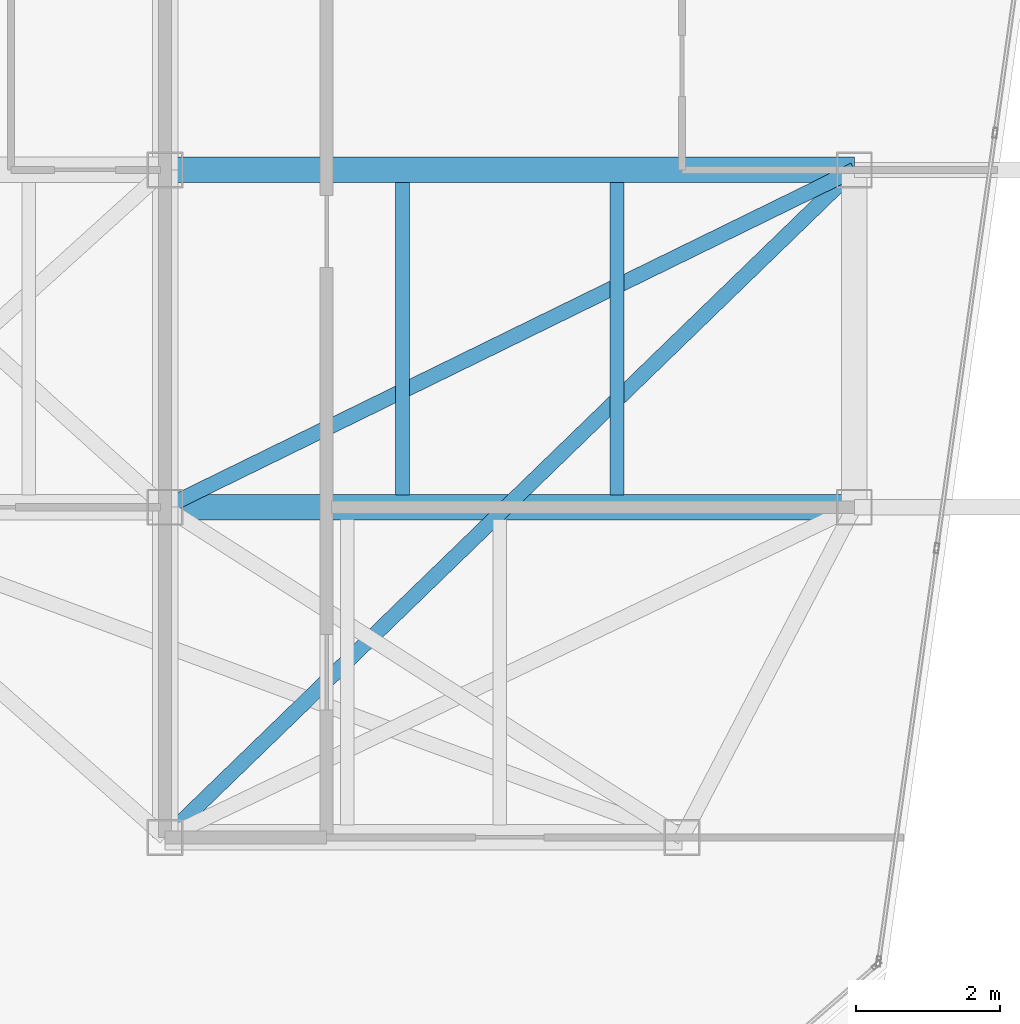
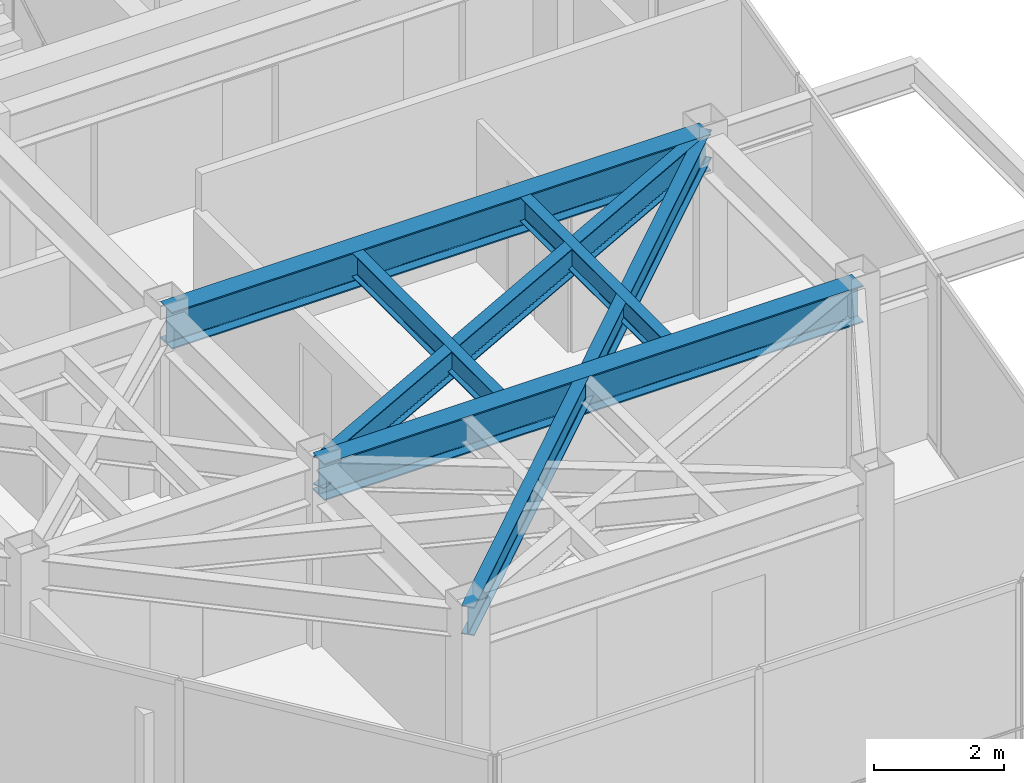
# One storey, part 9 of 17: 6 beams.
"""IFC4 building model written with IfcOpenShell, lengths in metres."""

from ifc_helpers import new_model, si_unit, direction, frame, origin, origin_2d, place, context, subcontext, project, spatial, i_section, extrude, material, material_profile, profile_set, type_object, element, save


model = new_model("IFC4")

# Units and contexts
model_context = context("Model", 3, precision=1e-05, world=origin(), true_north=direction((0.0, 1.0)))
body_context = subcontext(model_context, "Body", "Model", "MODEL_VIEW")
ifc_project = project(units=[si_unit("LENGTHUNIT", "METRE"), si_unit("AREAUNIT", "SQUARE_METRE"), si_unit("VOLUMEUNIT", "CUBIC_METRE"), si_unit("PLANEANGLEUNIT", "RADIAN"), si_unit("MASSUNIT", "GRAM", prefix="KILO")], contexts=[model_context])

# Site, building, storey
site_placement = place(None, origin())
site = spatial("IfcSite", under=ifc_project, at=site_placement, CompositionType="ELEMENT")
building_placement = place(site_placement, origin())
building = spatial("IfcBuilding", under=site, at=building_placement, Name="Kravanh Interchange Tower", CompositionType="ELEMENT")
storey_placement = place(building_placement, frame((0.0, 0.0, 263.39990234375)))
storey = spatial("IfcBuildingStorey", under=building, at=storey_placement, Name="L64", CompositionType="ELEMENT", Elevation=263.39990234375)

# Beams
ifc_material_1 = material(Name="Structural Steel S355", Category="steel")
ifc_material_profile_1 = material_profile(ifc_material_1, i_section(OverallWidth=0.35498046875, OverallDepth=0.696044921875, WebThickness=0.015380859375, FlangeThickness=0.02490234375, FilletRadius=0.02392578125, at=origin_2d()), Name="W27X146")
ifc_profile_set_1 = profile_set([ifc_material_profile_1], Name="Structural Steel S355")
beam_type_1 = type_object("IfcBeamType", Name="Floor Beam W27X146 Structural Steel S355", PredefinedType="BEAM", material=ifc_profile_set_1)
for number, where, z_axis, x_axis, name in (
    (1, (56.0, 31.5, 3.01220703125), (1.0, 0.0, 0.0), (0.0, 1.0, 0.0), "L64 Primary Floor Girder 12"),
    (2, (56.0, 26.800048828125, 3.01220703125), (1.0, 0.0, 0.0), (0.0, 1.0, 0.0), "L64 Primary Floor Girder 30"),
):
    element("IfcBeam", number, at=place(storey_placement, frame(where, z_axis=z_axis, x_axis=x_axis)), inside=storey, type_object=beam_type_1, Name=name, PredefinedType="BEAM", context=body_context, shape_type="SweptSolid", body=[
        extrude(i_section(OverallWidth=0.35498046875, OverallDepth=0.696044921875, WebThickness=0.015380859375, FlangeThickness=0.02490234375, FilletRadius=0.02392578125, at=origin_2d()), origin(), (0.0, 0.0, 1.0), 9.60009765625),
    ])
ifc_material_2 = material(Name="Structural Steel S355", Category="steel")
ifc_material_profile_2 = material_profile(ifc_material_2, i_section(OverallWidth=0.18994140625, OverallDepth=0.45703125, WebThickness=0.009033203125, FlangeThickness=0.014404296875, FilletRadius=0.01806640625, at=origin_2d()), Name="W18X50")
ifc_profile_set_2 = profile_set([ifc_material_profile_2], Name="Structural Steel S355")
beam_type_2 = type_object("IfcBeamType", Name="Floor Joist W18X50 Structural Steel S355", PredefinedType="JOIST", material=ifc_profile_set_2)
for number, where, z_axis, x_axis, name in (
    (3, (59.305908203125, 26.972412109375, 3.131591796875), (0.0, 1.0, 0.0), (-1.0, 0.0, 0.0), "L64 Secondary Floor Joist 7"),
    (4, (62.2939453125, 26.972412109375, 3.131591796875), (0.0, 1.0, 0.0), (-1.0, 0.0, 0.0), "L64 Secondary Floor Joist 8"),
):
    element("IfcBeam", number, at=place(storey_placement, frame(where, z_axis=z_axis, x_axis=x_axis)), inside=storey, type_object=beam_type_2, Name=name, PredefinedType="JOIST", context=body_context, shape_type="SweptSolid", body=[
        extrude(i_section(OverallWidth=0.18994140625, OverallDepth=0.45703125, WebThickness=0.009033203125, FlangeThickness=0.014404296875, FilletRadius=0.01806640625, at=origin_2d()), origin(), (0.0, 0.0, 1.0), 4.35498046875),
    ])
ifc_material_3 = material(Name="Structural Steel S355", Category="steel")
ifc_material_profile_3 = material_profile(ifc_material_3, i_section(OverallWidth=0.2099609375, OverallDepth=0.537109375, WebThickness=0.010986328125, FlangeThickness=0.017333984375, FilletRadius=0.02001953125, at=origin_2d()), Name="W21X68")
ifc_profile_set_3 = profile_set([ifc_material_profile_3], Name="Structural Steel S355")
beam_type_3 = type_object("IfcBeamType", Name="Floor Spandrel W21X68 Structural Steel S355", PredefinedType="SPANDREL", material=ifc_profile_set_3)
beam_1_placement = place(storey_placement, frame((65.60009765625, 31.5, 3.091552734375), z_axis=(-0.898141688387, -0.439706160499, 0.0), x_axis=(0.439706160499, -0.898141688387, 0.0)))
element("IfcBeam", 5, at=beam_1_placement, inside=storey, type_object=beam_type_3, Name="L64 Perimeter Spandrel 15", PredefinedType="SPANDREL", context=body_context, shape_type="SweptSolid", body=[
    extrude(i_section(OverallWidth=0.2099609375, OverallDepth=0.537109375, WebThickness=0.010986328125, FlangeThickness=0.017333984375, FilletRadius=0.02001953125, at=origin_2d()), origin(), (0.0, 0.0, 1.0), 10.68896484375),
])
beam_2_placement = place(storey_placement, frame((65.60009765625, 31.5, 3.091552734375), z_axis=(-0.718241934329, -0.695793449072, 0.0), x_axis=(0.695793449072, -0.718241934329, 0.0)))
element("IfcBeam", 6, at=beam_2_placement, inside=storey, type_object=beam_type_3, Name="L64 Perimeter Spandrel 16", PredefinedType="SPANDREL", context=body_context, shape_type="SweptSolid", body=[
    extrude(i_section(OverallWidth=0.2099609375, OverallDepth=0.537109375, WebThickness=0.010986328125, FlangeThickness=0.017333984375, FilletRadius=0.02001953125, at=origin_2d()), origin(), (0.0, 0.0, 1.0), 13.3662109375),
])

save(model, "model.ifc")
